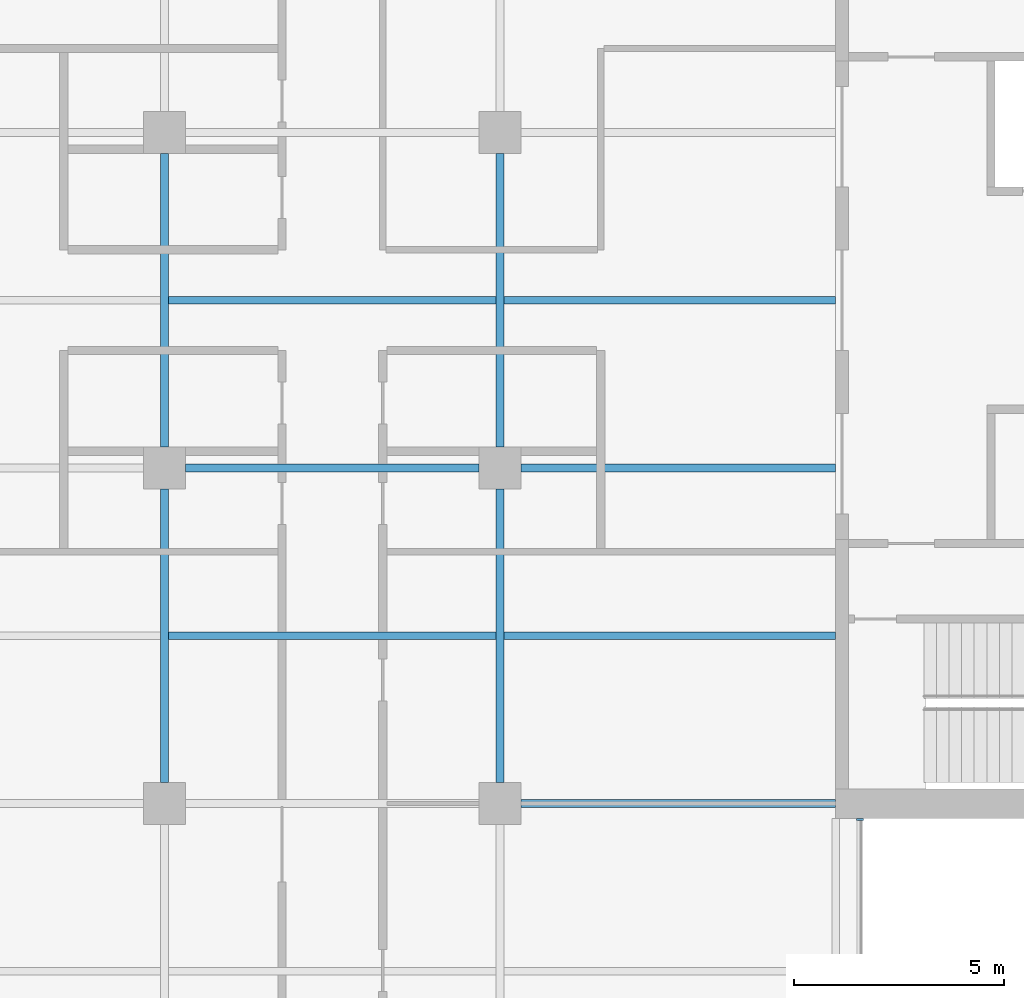
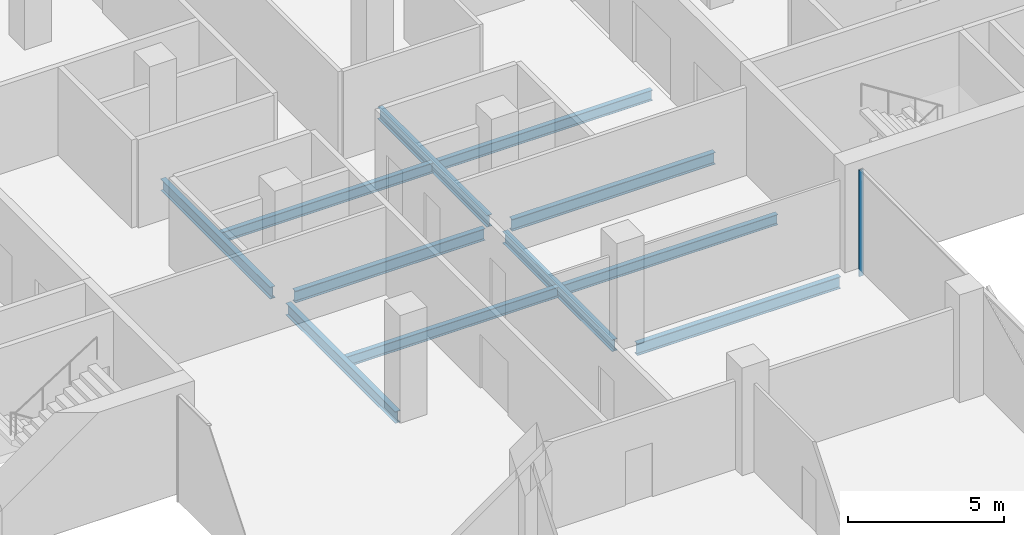
# One storey, part 6 of 22: 11 beams, 1 member, 1 element without a shape of its own.
"""IFC4 building model written with IfcOpenShell, lengths in metres."""

from ifc_helpers import new_model, si_unit, direction, frame, origin, origin_2d, place, context, subcontext, project, spatial, rectangle, i_section, extrude, material, material_profile, profile_set, type_object, element, aggregate, save


model = new_model("IFC4")

# Units and contexts
model_context = context("Model", 3, precision=1e-05, world=origin(), true_north=direction((0.0, 1.0)))
body_context = subcontext(model_context, "Body", "Model", "MODEL_VIEW")
ifc_project = project(units=[si_unit("LENGTHUNIT", "METRE"), si_unit("AREAUNIT", "SQUARE_METRE"), si_unit("VOLUMEUNIT", "CUBIC_METRE"), si_unit("PLANEANGLEUNIT", "RADIAN"), si_unit("MASSUNIT", "GRAM", prefix="KILO")], contexts=[model_context])

# Site, building, storey
site_placement = place(None, origin())
site = spatial("IfcSite", under=ifc_project, at=site_placement, CompositionType="ELEMENT")
building_placement = place(site_placement, origin())
building = spatial("IfcBuilding", under=site, at=building_placement, Name="Crosswind Convention Tower", CompositionType="ELEMENT")
storey_placement = place(building_placement, frame((0.0, 0.0, 125.300048828125)))
storey = spatial("IfcBuildingStorey", under=building, at=storey_placement, Name="L25", CompositionType="ELEMENT", Elevation=125.300048828125)

# Beams
ifc_material_1 = material(Name="Steel S355", Category="steel")
ifc_material_profile_1 = material_profile(ifc_material_1, i_section(OverallWidth=0.19140625, OverallDepth=0.460205078125, WebThickness=0.010009765625, FlangeThickness=0.01611328125, FilletRadius=0.01025390625, at=origin_2d()), Name="UB 457x191x82")
ifc_profile_set_1 = profile_set([ifc_material_profile_1], Name="Steel S355")
beam_type_1 = type_object("IfcBeamType", Name="Girder UB 457x191x82", PredefinedType="BEAM", material=ifc_profile_set_1)
for number, where, z_axis, x_axis, name in (
    (1, (121.0, 88.5, -0.530029296875), (0.0, 1.0, 0.0), (-1.0, 0.0, 0.0), "B3 L25 girder 5"),
    (2, (121.0, 96.5, -0.530029296875), (0.0, 1.0, 0.0), (-1.0, 0.0, 0.0), "B3 L25 girder 6"),
    (3, (121.5, 96.0, -0.530029296875), (1.0, 0.0, 0.0), (0.0, 1.0, 0.0), "B3 L25 girder 12"),
    (4, (129.0, 88.5, -0.530029296875), (0.0, 1.0, 0.0), (-1.0, 0.0, 0.0), "B3 L25 girder 18"),
    (5, (129.0, 96.5, -0.530029296875), (0.0, 1.0, 0.0), (-1.0, 0.0, 0.0), "B3 L25 girder 19"),
):
    element("IfcBeam", number, at=place(storey_placement, frame(where, z_axis=z_axis, x_axis=x_axis)), inside=storey, type_object=beam_type_1, Name=name, PredefinedType="BEAM", context=body_context, shape_type="SweptSolid", body=[
        extrude(i_section(OverallWidth=0.19140625, OverallDepth=0.460205078125, WebThickness=0.010009765625, FlangeThickness=0.01611328125, FilletRadius=0.01025390625, at=origin_2d()), origin(), (0.0, 0.0, 1.0), 7.0),
    ])
ifc_material_profile_2 = material_profile(ifc_material_1, i_section(OverallWidth=0.19189453125, OverallDepth=0.463623046875, WebThickness=0.010498046875, FlangeThickness=0.017578125, FilletRadius=0.01025390625, at=origin_2d()), Name="UB 457x191x90")
ifc_profile_set_2 = profile_set([ifc_material_profile_2], Name="Steel S355")
beam_type_2 = type_object("IfcBeamType", Name="Girder at core wall UB 457x191x90", PredefinedType="BEAM", material=ifc_profile_set_2)
for number, where, z_axis, x_axis, name in (
    (6, (129.5, 88.0, -0.53173828125), (1.0, 0.0, 0.0), (0.0, 1.0, 0.0), "B24 L25 girder at core wall 7"),
    (7, (129.5, 96.0, -0.53173828125), (1.0, 0.0, 0.0), (0.0, 1.0, 0.0), "B24 L25 girder at core wall 8"),
):
    element("IfcBeam", number, at=place(storey_placement, frame(where, z_axis=z_axis, x_axis=x_axis)), inside=storey, type_object=beam_type_2, Name=name, PredefinedType="BEAM", context=body_context, shape_type="SweptSolid", body=[
        extrude(i_section(OverallWidth=0.19189453125, OverallDepth=0.463623046875, WebThickness=0.010498046875, FlangeThickness=0.017578125, FilletRadius=0.01025390625, at=origin_2d()), origin(), (0.0, 0.0, 1.0), 7.5),
    ])

# Curtain wall, member
ifc_material_2 = material(Name="Aluminium unitised curtain wall", Category="aluminium")
curtain_wall_type = type_object("IfcCurtainWallType", Name="CORE END SLOT WALL 160", PredefinedType="USERDEFINED", material=ifc_material_2)
curtain_wall_placement = place(storey_placement, origin())
curtain_wall = element("IfcCurtainWall", 8, at=curtain_wall_placement, inside=storey, type_object=curtain_wall_type, Name="CW6 L25 S-E.1-2 slot", ObjectType="UNITISED", PredefinedType="USERDEFINED")
ifc_material_3 = material(Name="Aluminium mullion", Category="aluminium")
ifc_material_profile_3 = material_profile(ifc_material_3, rectangle(XDim=0.159912109375, YDim=0.050048828125, at=origin_2d()), Name="AL 160X50")
ifc_profile_set_3 = profile_set([ifc_material_profile_3], Name="Aluminium mullion")
member_type = type_object("IfcMemberType", Name="MULLION 50X160", PredefinedType="MULLION", material=ifc_profile_set_3)
member_placement = place(storey_placement, frame((137.580078125, 87.625, -0.300048828125), z_axis=(0.0, 0.0, 1.0), x_axis=(1.0, 0.0, 0.0)))
member = element("IfcMember", 9, at=member_placement, type_object=member_type, Name="CW6 mullion 2", PredefinedType="MULLION", context=body_context, shape_type="SweptSolid", body=[
    extrude(rectangle(XDim=0.159912109375, YDim=0.050048828125, at=origin_2d()), origin(), (0.0, 0.0, 1.0), 4.14990234375),
])
aggregate(curtain_wall, [member])

# Beams
ifc_material_profile_4 = material_profile(ifc_material_1, i_section(OverallWidth=0.177734375, OverallDepth=0.406494140625, WebThickness=0.0078125, FlangeThickness=0.0126953125, FilletRadius=0.01025390625, at=origin_2d()), Name="UB 406x178x60")
ifc_profile_set_4 = profile_set([ifc_material_profile_4], Name="Steel S355")
beam_type_3 = type_object("IfcBeamType", Name="Secondary beam UB 406x178x60", PredefinedType="JOIST", material=ifc_profile_set_4)
for number, where, z_axis, x_axis, name in (
    (10, (121.095703125, 92.0, -0.503173828125), (1.0, 0.0, 0.0), (0.0, 1.0, 0.0), "B10 L25 secondary beam 13"),
    (11, (121.095703125, 100.0, -0.503173828125), (1.0, 0.0, 0.0), (0.0, 1.0, 0.0), "B10 L25 secondary beam 14"),
):
    element("IfcBeam", number, at=place(storey_placement, frame(where, z_axis=z_axis, x_axis=x_axis)), inside=storey, type_object=beam_type_3, Name=name, PredefinedType="JOIST", context=body_context, shape_type="SweptSolid", body=[
        extrude(i_section(OverallWidth=0.177734375, OverallDepth=0.406494140625, WebThickness=0.0078125, FlangeThickness=0.0126953125, FilletRadius=0.01025390625, at=origin_2d()), origin(), (0.0, 0.0, 1.0), 7.80859375),
    ])
for number, where, z_axis, x_axis, name in (
    (12, (129.095703125, 92.0, -0.503173828125), (1.0, 0.0, 0.0), (0.0, 1.0, 0.0), "B10 L25 secondary beam 20"),
    (13, (129.095703125, 100.0, -0.503173828125), (1.0, 0.0, 0.0), (0.0, 1.0, 0.0), "B10 L25 secondary beam 21"),
):
    element("IfcBeam", number, at=place(storey_placement, frame(where, z_axis=z_axis, x_axis=x_axis)), inside=storey, type_object=beam_type_3, Name=name, PredefinedType="JOIST", context=body_context, shape_type="SweptSolid", body=[
        extrude(i_section(OverallWidth=0.177734375, OverallDepth=0.406494140625, WebThickness=0.0078125, FlangeThickness=0.0126953125, FilletRadius=0.01025390625, at=origin_2d()), origin(), (0.0, 0.0, 1.0), 7.904296875),
    ])

save(model, "model.ifc")
